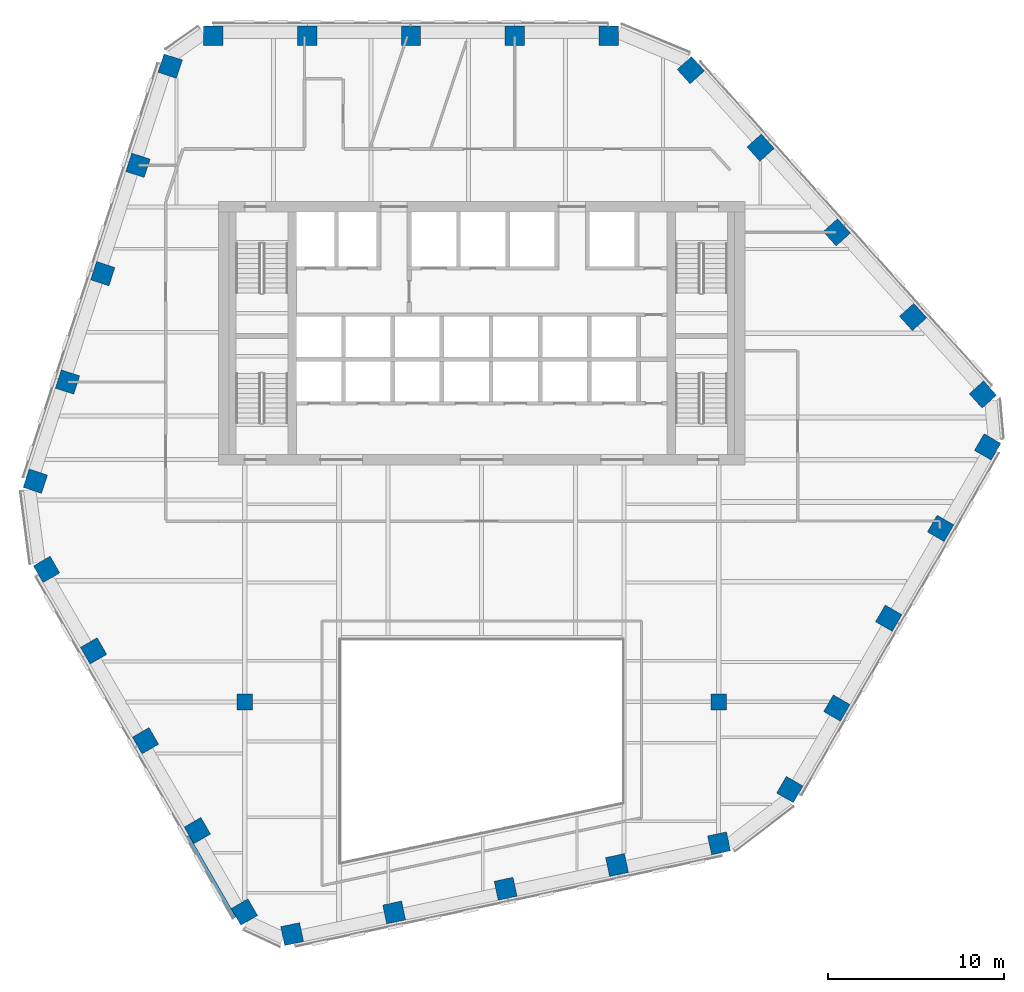
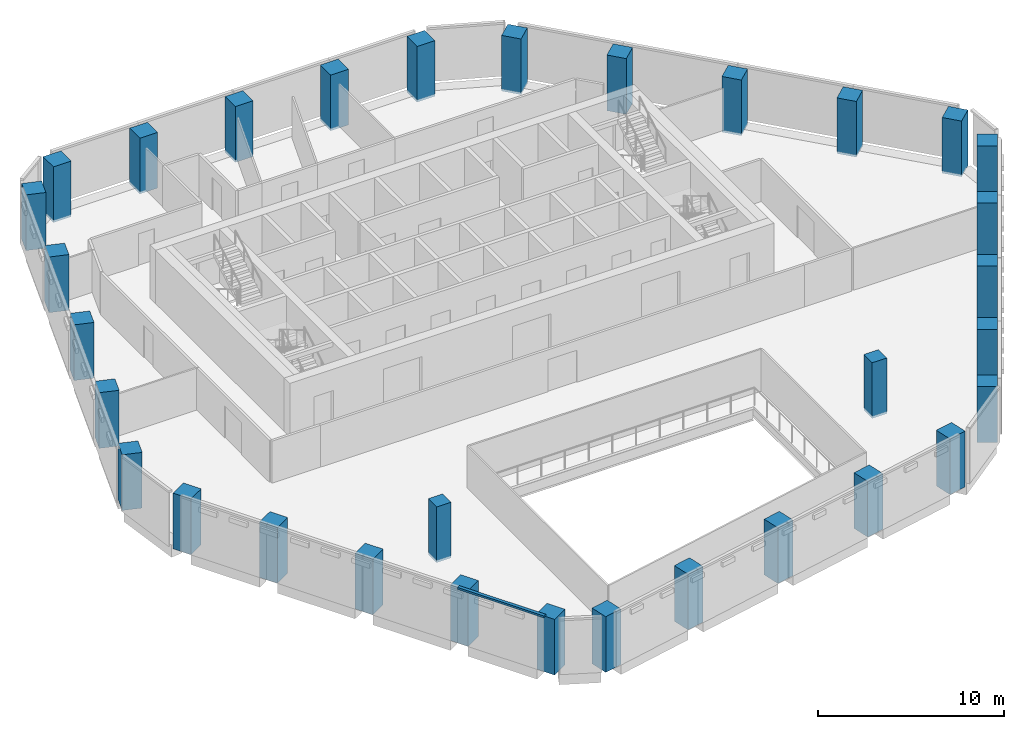
# One storey, part 1 of 16: 32 columns, 1 member, 1 element without a shape of its own.
"""IFC4 building model written with IfcOpenShell, lengths in metres."""

import ifcopenshell
import ifcopenshell.guid

model = None  # the IFC model being written
_history = None  # IfcOwnerHistory: only IFC2X3 demands one
_inside = {}  # id of a spatial element -> (the spatial element, [elements in it])
_under = {}  # id of a project, library or spatial element -> (it, [spatial elements below it])
_declared = {}  # id of a project -> (the project, [libraries it declares])
_typed = {}  # id of a type object -> (the type object, [elements of that type])
_made_of = {}  # id of a material, layer set ... -> (it, [elements and type objects made of it])


def new_model(schema):
    """Start an empty IFC model of exactly this schema.

    Asked for "IFC4X3", IfcOpenShell would pick the latest addendum, in which some entities
    have other attributes; the version numbers below select the first issue.
    IFC2X3 requires an IfcOwnerHistory on every rooted entity: one is made here for all.
    """
    global model, _history
    if schema == "IFC4X3":
        model = ifcopenshell.file(schema_version=(4, 3, 0, 0))
    else:
        model = ifcopenshell.file(schema=schema)
    _inside.clear()
    _under.clear()
    _declared.clear()
    _typed.clear()
    _made_of.clear()
    _history = None
    if model.schema == "IFC2X3":
        org = make("IfcOrganization", Name="unknown")
        user = make(
            "IfcPersonAndOrganization",
            ThePerson=make("IfcPerson", FamilyName="unknown"),
            TheOrganization=org,
        )
        app = make(
            "IfcApplication",
            ApplicationDeveloper=org,
            Version="unknown",
            ApplicationFullName="unknown",
            ApplicationIdentifier="unknown",
        )
        _history = make(
            "IfcOwnerHistory",
            OwningUser=user,
            OwningApplication=app,
            ChangeAction="ADDED",
            CreationDate=0,
        )
    return model


def make(cls, **values):
    """One entity of the class cls with the attributes given. An attribute that is None is left unset."""
    return model.create_entity(
        cls, **{name: value for name, value in values.items() if value is not None}
    )


def rooted(cls, **values):
    """An entity with a GlobalId (a new one), such as an element, a storey or a relation."""
    return make(cls, GlobalId=ifcopenshell.guid.new(), OwnerHistory=_history, **values)


def si_unit(unit_type, name, prefix=None):
    """IfcSIUnit, for example si_unit("LENGTHUNIT", "METRE", prefix="MILLI")."""
    return make("IfcSIUnit", UnitType=unit_type, Prefix=prefix, Name=name)


def assignment(units):
    """IfcUnitAssignment: the units of a project."""
    return None if units is None else make("IfcUnitAssignment", Units=units)


def point(xyz):
    """IfcCartesianPoint."""
    return None if xyz is None else make("IfcCartesianPoint", Coordinates=xyz)


def direction(xyz):
    """IfcDirection."""
    return None if xyz is None else make("IfcDirection", DirectionRatios=xyz)


def frame(location, z_axis=None, x_axis=None):
    """IfcAxis2Placement3D, a coordinate frame: its origin and axes. An axis left out is left unset."""
    return make(
        "IfcAxis2Placement3D",
        Location=point(location),
        Axis=direction(z_axis),
        RefDirection=direction(x_axis),
    )


def frame_2d(location, x_axis=None):
    """IfcAxis2Placement2D, a coordinate frame in the plane: its origin and x axis."""
    return make(
        "IfcAxis2Placement2D", Location=point(location), RefDirection=direction(x_axis)
    )


def origin():
    """The frame at (0, 0, 0) with its axes left unset."""
    return frame((0.0, 0.0, 0.0))


def origin_2d():
    """The frame at (0, 0) in the plane with its x axis left unset."""
    return frame_2d((0.0, 0.0))


def place(relative_to, where):
    """IfcLocalPlacement: puts the frame where relative to a parent placement (None: the world)."""
    return make(
        "IfcLocalPlacement", PlacementRelTo=relative_to, RelativePlacement=where
    )


def context(
    kind, dimensions, precision=None, world=None, true_north=None, identifier=None
):
    """IfcGeometricRepresentationContext, for example the 3D "Model" context."""
    return make(
        "IfcGeometricRepresentationContext",
        ContextIdentifier=identifier,
        ContextType=kind,
        CoordinateSpaceDimension=dimensions,
        Precision=precision,
        WorldCoordinateSystem=world,
        TrueNorth=true_north,
    )


def subcontext(parent, identifier, kind, view, scale=None):
    """IfcGeometricRepresentationSubContext, for example "Body" below "Model"."""
    return make(
        "IfcGeometricRepresentationSubContext",
        ContextIdentifier=identifier,
        ContextType=kind,
        ParentContext=parent,
        TargetScale=scale,
        TargetView=view,
    )


def project(units=None, contexts=None):
    """IfcProject with its units and contexts."""
    return rooted(
        "IfcProject",
        Name="project",
        RepresentationContexts=contexts,
        UnitsInContext=assignment(units),
    )


def spatial(cls, under=None, at=None, **own):
    """A site, building, storey or space (cls), placed at a placement, below another one or the project."""
    s = rooted(cls, ObjectPlacement=at, **own)
    if under is not None:
        _under.setdefault(under.id(), (under, []))[1].append(s)
    return s


def profile(cls, at=None, kind="AREA", **sizes):
    """A parametric profile (cls). Its sizes go by their IFC names, for example OverallWidth=200.0."""
    return make(cls, ProfileType=kind, Position=at, **sizes)


def rectangle(**sizes):
    """IfcRectangleProfileDef."""
    return profile("IfcRectangleProfileDef", **sizes)


def extrude(swept, where, along, depth):
    """IfcExtrudedAreaSolid: the profile swept, set in the frame where, extruded along a direction by depth."""
    return make(
        "IfcExtrudedAreaSolid",
        SweptArea=swept,
        Position=where,
        ExtrudedDirection=direction(along),
        Depth=depth,
    )


def shape(context_of_items, identifier, shape_type, items):
    """IfcShapeRepresentation: the items that make up one representation, for example the "Body"."""
    return make(
        "IfcShapeRepresentation",
        ContextOfItems=context_of_items,
        RepresentationIdentifier=identifier,
        RepresentationType=shape_type,
        Items=items,
    )


def material(Name=None, Category=None):
    """IfcMaterial."""
    return make("IfcMaterial", Name=Name, Category=Category)


def layer(
    of_material, thickness, ventilated=None, Name=None, Category=None, Priority=None
):
    """IfcMaterialLayer: one layer of a wall or slab, of a material (None: an air gap)."""
    return make(
        "IfcMaterialLayer",
        Material=of_material,
        LayerThickness=thickness,
        IsVentilated=ventilated,
        Name=Name,
        Category=Category,
        Priority=Priority,
    )


def layer_set(layers, Name=None):
    """IfcMaterialLayerSet."""
    return make("IfcMaterialLayerSet", MaterialLayers=layers, LayerSetName=Name)


def material_profile(
    of_material, cross_section, Name=None, Category=None, Priority=None
):
    """IfcMaterialProfile: a cross section and its material."""
    return make(
        "IfcMaterialProfile",
        Name=Name,
        Material=of_material,
        Profile=cross_section,
        Priority=Priority,
        Category=Category,
    )


def profile_set(profiles, Name=None, composite=None):
    """IfcMaterialProfileSet."""
    return make(
        "IfcMaterialProfileSet",
        Name=Name,
        MaterialProfiles=profiles,
        CompositeProfile=composite,
    )


def made_of(thing, what):
    """Note that an element or type object is made of a material, layer set ...; save() writes the relation."""
    if what is not None:
        _made_of.setdefault(what.id(), (what, []))[1].append(thing)
    return thing


def type_object(cls, material=None, **own):
    """A type object (cls), such as IfcWallType, which elements share."""
    return made_of(rooted(cls, **own), material)


def element(
    cls,
    number,
    at=None,
    inside=None,
    cuts=None,
    type_object=None,
    material=None,
    context=None,
    identifier="Body",
    shape_type=None,
    held_by="IfcProductDefinitionShape",
    body=None,
    shapes=None,
    **own,
):
    """One element of the class cls, such as IfcWall. Its Tag is "e" and its number.

    at: its placement. inside: the storey or other place that contains it. cuts: it is an
    opening in that element (IfcRelVoidsElement). A single representation is given by context,
    identifier, shape_type and body (its items); several are given by shapes. held_by: the class
    of the entity that holds the representations. save() writes the other relations.
    """
    e = rooted(cls, Tag="e%d" % number, ObjectPlacement=at, **own)
    if body is not None:
        shapes = [shape(context, identifier, shape_type, body)]
    if shapes is not None:
        e.Representation = make(held_by, Representations=shapes)
    if inside is not None:
        _inside.setdefault(inside.id(), (inside, []))[1].append(e)
    if cuts is not None:
        rooted(
            "IfcRelVoidsElement", RelatingBuildingElement=cuts, RelatedOpeningElement=e
        )
    if type_object is not None:
        _typed.setdefault(type_object.id(), (type_object, []))[1].append(e)
    return made_of(e, material)


def aggregate(whole, parts):
    """IfcRelAggregates: a whole, such as a stair, and the parts it consists of."""
    return rooted("IfcRelAggregates", RelatingObject=whole, RelatedObjects=parts)


def save(model, path):
    """Write the relations noted so far, then the file.

    IfcRelAggregates (storeys below a building ...), IfcRelContainedInSpatialStructure (elements
    in a storey), IfcRelDefinesByType, IfcRelAssociatesMaterial and IfcRelDeclares: one each for
    every whole, place, type object, material and project.
    """
    for whole, parts in _under.values():
        aggregate(whole, parts)
    for where, things in _inside.values():
        rooted(
            "IfcRelContainedInSpatialStructure",
            RelatedElements=things,
            RelatingStructure=where,
        )
    for kind, things in _typed.values():
        rooted("IfcRelDefinesByType", RelatedObjects=things, RelatingType=kind)
    for what, things in _made_of.values():
        rooted("IfcRelAssociatesMaterial", RelatedObjects=things, RelatingMaterial=what)
    for by, libraries in _declared.values():
        rooted("IfcRelDeclares", RelatingContext=by, RelatedDefinitions=libraries)
    model.write(path)


model = new_model("IFC4")

# Units and contexts
model_context = context("Model", 3, precision=1e-05, world=origin(), true_north=direction((0.0, 1.0)))
body_context = subcontext(model_context, "Body", "Model", "MODEL_VIEW")
ifc_project = project(units=[si_unit("LENGTHUNIT", "METRE"), si_unit("AREAUNIT", "SQUARE_METRE"), si_unit("VOLUMEUNIT", "CUBIC_METRE"), si_unit("PLANEANGLEUNIT", "RADIAN"), si_unit("MASSUNIT", "GRAM", prefix="KILO")], contexts=[model_context])

# Site, building, storey
site_placement = place(None, origin())
site = spatial("IfcSite", under=ifc_project, at=site_placement, CompositionType="ELEMENT")
building_placement = place(site_placement, origin())
building = spatial("IfcBuilding", under=site, at=building_placement, Name="Isthmus Gate Tower", CompositionType="ELEMENT")
storey_placement = place(building_placement, frame((0.0, 0.0, 216.300048828125)))
storey = spatial("IfcBuildingStorey", under=building, at=storey_placement, Name="L54", CompositionType="ELEMENT", Elevation=216.300048828125)

# Columns
ifc_material_1 = material(Name="Concrete f'c 50 MPa", Category="concrete")
ifc_material_profile_1 = material_profile(ifc_material_1, rectangle(XDim=0.89990234375, YDim=0.89990234375, at=origin_2d()), Name="RC 900X900")
ifc_profile_set_1 = profile_set([ifc_material_profile_1], Name="Concrete f'c 50 MPa")
column_type_1 = type_object("IfcColumnType", Name="RC INTERIOR COLUMN 900 X 900", PredefinedType="COLUMN", material=ifc_profile_set_1)
for number, where, z_axis, x_axis, name in (
    (1, (-13.5, -13.5, -0.150146484375), (0.0, 0.0, 1.0), (1.0, 0.0, 0.0), "str-icol-L54-ICB2"),
    (2, (13.5, -13.5, -0.150146484375), (0.0, 0.0, 1.0), (1.0, 0.0, 0.0), "str-icol-L54-ICD2"),
):
    element("IfcColumn", number, at=place(storey_placement, frame(where, z_axis=z_axis, x_axis=x_axis)), inside=storey, type_object=column_type_1, Name=name, PredefinedType="COLUMN", context=body_context, shape_type="SweptSolid", body=[
        extrude(rectangle(XDim=0.89990234375, YDim=0.89990234375, at=origin_2d()), origin(), (0.0, 0.0, 1.0), 3.650146484375),
    ])
ifc_material_2 = material(Name="Concrete f'c 50 MPa", Category="concrete")
ifc_material_profile_2 = material_profile(ifc_material_2, rectangle(XDim=1.10009765625, YDim=1.10009765625, at=origin_2d()), Name="RC 1100X1100")
ifc_profile_set_2 = profile_set([ifc_material_profile_2], Name="Concrete f'c 50 MPa")
column_type_2 = type_object("IfcColumnType", Name="RC TUBE COLUMN 1100 X 1100", PredefinedType="COLUMN", material=ifc_profile_set_2)
for number, where, z_axis, x_axis, name in (
    (3, (7.2412109375, 24.449951171875, -0.150146484375), (0.0, 0.0, 1.0), (-1.0, 0.0, 0.0), "str-tcol-L54-T3N0"),
    (4, (1.880615234375, 24.449951171875, -0.150146484375), (0.0, 0.0, 1.0), (-1.0, 0.0, 0.0), "str-tcol-L54-T3N1"),
    (5, (-4.030029296875, 24.449951171875, -0.150146484375), (0.0, 0.0, 1.0), (-1.0, 0.0, 0.0), "str-tcol-L54-T3N2"),
    (6, (-9.940673828125, 24.449951171875, -0.150146484375), (0.0, 0.0, 1.0), (-1.0, 0.0, 0.0), "str-tcol-L54-T3N3"),
    (7, (-15.30126953125, 24.449951171875, -0.150146484375), (0.0, 0.0, 1.0), (-1.0, 0.0, 0.0), "str-tcol-L54-T3N4"),
    (8, (-17.7509765625, 22.721923828125, -0.150146484375), (0.0, 0.0, 1.0), (-0.309016994375, -0.951056516295, 0.0), "str-tcol-L54-T3NW0"),
    (9, (-19.587158203125, 17.07080078125, -0.150146484375), (0.0, 0.0, 1.0), (-0.309016994375, -0.951056516295, 0.0), "str-tcol-L54-T3NW1"),
    (10, (-21.59326171875, 10.896728515625, -0.150146484375), (0.0, 0.0, 1.0), (-0.309016994375, -0.951056516295, 0.0), "str-tcol-L54-T3NW2"),
    (11, (-23.599365234375, 4.72265625, -0.150146484375), (0.0, 0.0, 1.0), (-0.309016994375, -0.951056516295, 0.0), "str-tcol-L54-T3NW3"),
    (12, (-25.435546875, -0.928466796875, -0.150146484375), (0.0, 0.0, 1.0), (-0.309016994375, -0.951056516295, 0.0), "str-tcol-L54-T3NW4"),
    (13, (-24.794921875, -5.9541015625, -0.150146484375), (0.0, 0.0, 1.0), (0.5, -0.866025403784, 0.0), "str-tcol-L54-T3SW0"),
    (14, (-22.114501953125, -10.596435546875, -0.150146484375), (0.0, 0.0, 1.0), (0.5, -0.866025403784, 0.0), "str-tcol-L54-T3SW1"),
    (15, (-19.1591796875, -15.715087890625, -0.150146484375), (0.0, 0.0, 1.0), (0.5, -0.866025403784, 0.0), "str-tcol-L54-T3SW2"),
    (16, (-16.2041015625, -20.833984375, -0.150146484375), (0.0, 0.0, 1.0), (0.5, -0.866025403784, 0.0), "str-tcol-L54-T3SW3"),
    (17, (-13.523681640625, -25.476318359375, -0.150146484375), (0.0, 0.0, 1.0), (0.5, -0.866025403784, 0.0), "str-tcol-L54-T3SW4"),
    (18, (-10.80224609375, -26.73388671875, -0.150146484375), (0.0, 0.0, 1.0), (0.978147600734, 0.207911690818, 0.0), "str-tcol-L54-T3S0"),
    (19, (-4.990234375, -25.498291015625, -0.150146484375), (0.0, 0.0, 1.0), (0.978147600734, 0.207911690818, 0.0), "str-tcol-L54-T3S1"),
    (20, (1.35986328125, -24.148681640625, -0.150146484375), (0.0, 0.0, 1.0), (0.978147600734, 0.207911690818, 0.0), "str-tcol-L54-T3S2"),
    (21, (7.7099609375, -22.798828125, -0.150146484375), (0.0, 0.0, 1.0), (0.978147600734, 0.207911690818, 0.0), "str-tcol-L54-T3S3"),
    (22, (13.52197265625, -21.5634765625, -0.150146484375), (0.0, 0.0, 1.0), (0.978147600734, 0.207911690818, 0.0), "str-tcol-L54-T3S4"),
    (23, (17.5537109375, -18.495849609375, -0.150146484375), (0.0, 0.0, 1.0), (0.5, 0.866025403784, 0.0), "str-tcol-L54-T3SE0"),
    (24, (20.234130859375, -13.853515625, -0.150146484375), (0.0, 0.0, 1.0), (0.5, 0.866025403784, 0.0), "str-tcol-L54-T3SE1"),
    (25, (23.189453125, -8.73486328125, -0.150146484375), (0.0, 0.0, 1.0), (0.5, 0.866025403784, 0.0), "str-tcol-L54-T3SE2"),
    (26, (26.144775390625, -3.6162109375, -0.150146484375), (0.0, 0.0, 1.0), (0.5, 0.866025403784, 0.0), "str-tcol-L54-T3SE3"),
    (27, (28.824951171875, 1.0263671875, -0.150146484375), (0.0, 0.0, 1.0), (0.5, 0.866025403784, 0.0), "str-tcol-L54-T3SE4"),
    (28, (28.55322265625, 4.011962890625, -0.150146484375), (0.0, 0.0, 1.0), (-0.669130606359, 0.743144825477, 0.0), "str-tcol-L54-T3NE0"),
    (29, (24.577392578125, 8.427490234375, -0.150146484375), (0.0, 0.0, 1.0), (-0.669130606359, 0.743144825477, 0.0), "str-tcol-L54-T3NE1"),
    (30, (20.2333984375, 13.251953125, -0.150146484375), (0.0, 0.0, 1.0), (-0.669130606359, 0.743144825477, 0.0), "str-tcol-L54-T3NE2"),
    (31, (15.8896484375, 18.076416015625, -0.150146484375), (0.0, 0.0, 1.0), (-0.669130606359, 0.743144825477, 0.0), "str-tcol-L54-T3NE3"),
    (32, (11.91357421875, 22.4921875, -0.150146484375), (0.0, 0.0, 1.0), (-0.669130606359, 0.743144825477, 0.0), "str-tcol-L54-T3NE4"),
):
    element("IfcColumn", number, at=place(storey_placement, frame(where, z_axis=z_axis, x_axis=x_axis)), inside=storey, type_object=column_type_2, Name=name, PredefinedType="COLUMN", context=body_context, shape_type="SweptSolid", body=[
        extrude(rectangle(XDim=1.10009765625, YDim=1.10009765625, at=origin_2d()), origin(), (0.0, 0.0, 1.0), 3.650146484375),
    ])

# Curtain wall, member
ifc_material_3 = material(Name="Aluminium, pale champagne anodised", Category="aluminium")
ifc_layer = layer(ifc_material_3, 0.199951171875)
ifc_layer_set = layer_set([ifc_layer], Name="CW-1 UNITISED CURTAIN WALL 200 DEEP")
curtain_wall_type = type_object("IfcCurtainWallType", Name="CW-1 UNITISED CURTAIN WALL 200 DEEP", PredefinedType="NOTDEFINED", material=ifc_layer_set)
curtain_wall_placement = place(storey_placement, origin())
curtain_wall = element("IfcCurtainWall", 33, at=curtain_wall_placement, inside=storey, type_object=curtain_wall_type, Name="CW-1 SW L54", PredefinedType="NOTDEFINED")
ifc_material_4 = material(Name="Aluminium, pale champagne anodised", Category="aluminium")
ifc_material_profile_3 = material_profile(ifc_material_4, rectangle(XDim=0.199951171875, YDim=0.1298828125, at=origin_2d()), Name="200x130")
ifc_profile_set_3 = profile_set([ifc_material_profile_3], Name="Aluminium, pale champagne anodised")
member_type = type_object("IfcMemberType", Name="CW-1 TRANSOM 200 X 130", PredefinedType="USERDEFINED", material=ifc_profile_set_3)
member_placement = place(storey_placement, frame((-16.766845703125, -21.158935546875, 3.5849609375), z_axis=(0.499989227444, -0.866031623233, 0.0), x_axis=(0.866031623233, 0.499989227444, 0.0)))
member = element("IfcMember", 34, at=member_placement, type_object=member_type, Name="CW-1 transom", ObjectType="TRANSOM", PredefinedType="USERDEFINED", context=body_context, shape_type="SweptSolid", body=[
    extrude(rectangle(XDim=0.199951171875, YDim=0.1298828125, at=origin_2d()), origin(), (0.0, 0.0, 1.0), 5.3603515625),
])
aggregate(curtain_wall, [member])

save(model, "model.ifc")
